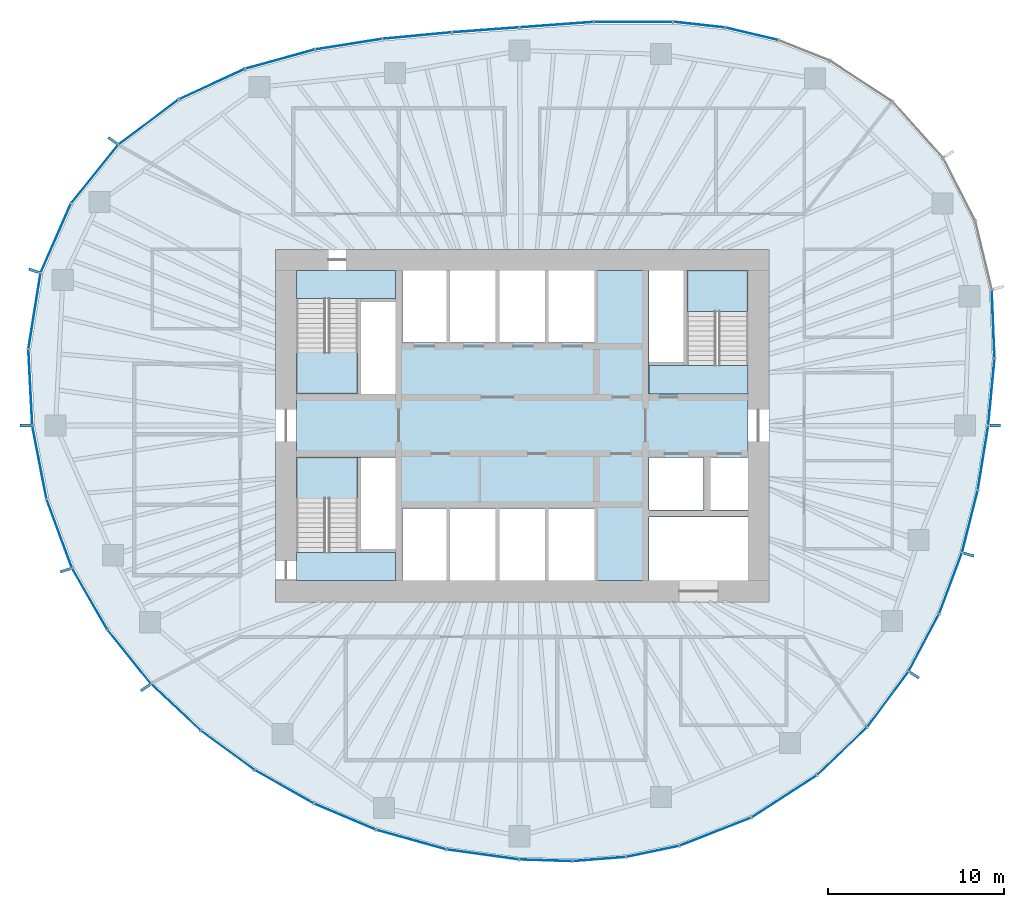
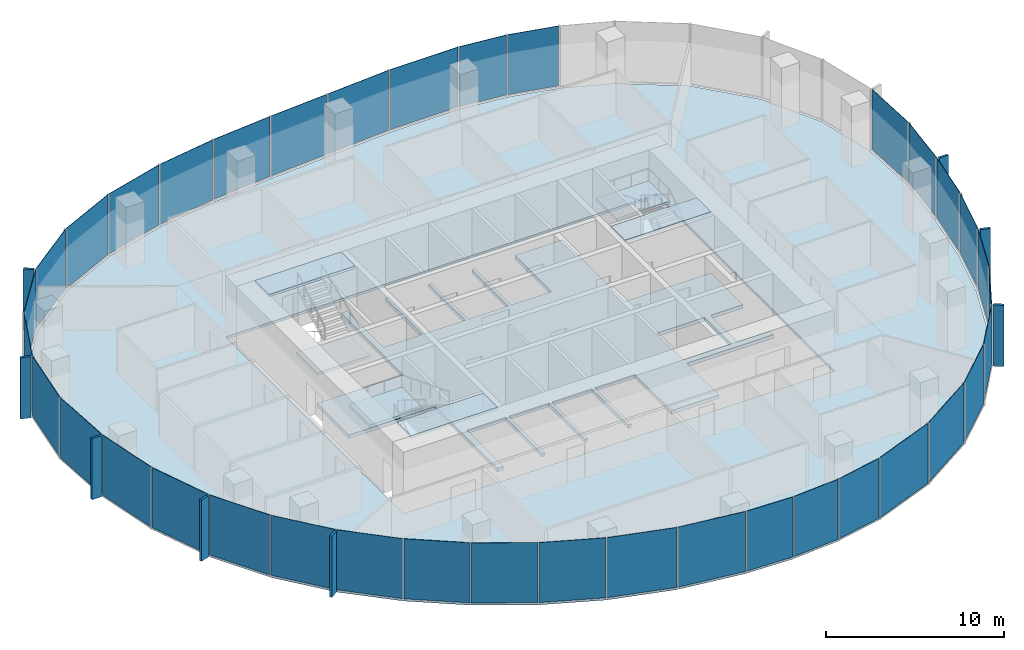
# One storey, part 7 of 11: 45 plates, 8 slabs, 21 elements without a shape of their own.
"""IFC4 building model written with IfcOpenShell, lengths in metres."""

from ifc_helpers import new_model, si_unit, direction, frame, origin, origin_2d, place, context, subcontext, project, spatial, polyline, rectangle, outline, extrude, material, layer, layer_set, type_object, element, aggregate, save


model = new_model("IFC4")

# Units and contexts
model_context = context("Model", 3, precision=1e-05, world=origin(), true_north=direction((0.0, 1.0)))
body_context = subcontext(model_context, "Body", "Model", "MODEL_VIEW")
ifc_project = project(units=[si_unit("LENGTHUNIT", "METRE"), si_unit("AREAUNIT", "SQUARE_METRE"), si_unit("VOLUMEUNIT", "CUBIC_METRE"), si_unit("PLANEANGLEUNIT", "RADIAN"), si_unit("MASSUNIT", "GRAM", prefix="KILO")], contexts=[model_context])

# Site, building, storey
site_placement = place(None, origin())
site = spatial("IfcSite", under=ifc_project, at=site_placement, CompositionType="ELEMENT")
building_placement = place(site_placement, origin())
building = spatial("IfcBuilding", under=site, at=building_placement, Name="Ghaith Harvest Tower", CompositionType="ELEMENT")
storey_placement = place(building_placement, frame((0.0, 0.0, 241.0)))
storey = spatial("IfcBuildingStorey", under=building, at=storey_placement, Name="L53", CompositionType="ELEMENT", Elevation=241.0)

# Curtain wall, plates
ifc_material_1 = material(Name="Black anodised aluminium and fritted glass", Category="aluminium")
curtain_wall_type = type_object("IfcCurtainWallType", Name="CW-H CURTAIN WALL", PredefinedType="NOTDEFINED", material=ifc_material_1)
curtain_wall_1_placement = place(storey_placement, origin())
curtain_wall_1 = element("IfcCurtainWall", 1, at=curtain_wall_1_placement, inside=storey, type_object=curtain_wall_type, Name="Curtain wall CW-H bay 01 L53", PredefinedType="NOTDEFINED")
ifc_material_2 = material(Name="Glass, dark solar-control fritted double glazed unit", Category="glass")
ifc_layer_1 = layer(ifc_material_2, 0.030029296875)
ifc_layer_set_1 = layer_set([ifc_layer_1], Name="CW-H VISION PANEL")
plate_type_1 = type_object("IfcPlateType", Name="CW-H VISION PANEL", PredefinedType="CURTAIN_PANEL", material=ifc_layer_set_1)
plate_1_placement = place(storey_placement, frame((26.624755859375, 1.89794921875, 0.079833984375), z_axis=(0.0, 0.0, 1.0), x_axis=(0.094301909937, 0.995543645343, 0.0)))
plate_1 = element("IfcPlate", 2, at=plate_1_placement, type_object=plate_type_1, Name="CW-H glass unit 1 bay 01 L53", PredefinedType="CURTAIN_PANEL", context=body_context, shape_type="SweptSolid", body=[
    extrude(rectangle(XDim=3.73291015625, YDim=0.030029296875, at=origin_2d()), origin(), (0.0, 0.0, 1.0), 4.1201171875),
])
plate_2_placement = place(storey_placement, frame((26.7255859375, 5.74853515625, 0.079833984375), z_axis=(0.0, 0.0, 1.0), x_axis=(-0.040462173218, 0.999181070947, 0.0)))
plate_2 = element("IfcPlate", 3, at=plate_2_placement, type_object=plate_type_1, Name="CW-H glass unit 2 bay 01 L53", PredefinedType="CURTAIN_PANEL", context=body_context, shape_type="SweptSolid", body=[
    extrude(rectangle(XDim=3.82861328125, YDim=0.030029296875, at=origin_2d()), origin(), (0.0, 0.0, 1.0), 4.1201171875),
])
aggregate(curtain_wall_1, [plate_1, plate_2])

curtain_wall_2_placement = place(storey_placement, origin())
curtain_wall_2 = element("IfcCurtainWall", 4, at=curtain_wall_2_placement, inside=storey, type_object=curtain_wall_type, Name="Curtain wall CW-H bay 04 L53", PredefinedType="NOTDEFINED")
plate_3_placement = place(storey_placement, frame((13.027099609375, 22.225341796875, 0.079833984375), z_axis=(0.0, 0.0, 1.0), x_axis=(-0.973266235028, 0.229679854916, 0.0)))
plate_3 = element("IfcPlate", 5, at=plate_3_placement, type_object=plate_type_1, Name="CW-H glass unit 2 bay 04 L53", PredefinedType="CURTAIN_PANEL", context=body_context, shape_type="SweptSolid", body=[
    extrude(rectangle(XDim=3.00244140625, YDim=0.030029296875, at=origin_2d()), origin(), (0.0, 0.0, 1.0), 4.1201171875),
])
plate_4_placement = place(storey_placement, frame((10.045654296875, 22.744384765625, 0.079833984375), z_axis=(0.0, 0.0, 1.0), x_axis=(-0.993865217442, 0.11059805405, 0.0)))
plate_4 = element("IfcPlate", 6, at=plate_4_placement, type_object=plate_type_1, Name="CW-H glass unit 3 bay 04 L53", PredefinedType="CURTAIN_PANEL", context=body_context, shape_type="SweptSolid", body=[
    extrude(rectangle(XDim=2.901123046875, YDim=0.030029296875, at=origin_2d()), origin(), (0.0, 0.0, 1.0), 4.1201171875),
])
aggregate(curtain_wall_2, [plate_3, plate_4])

curtain_wall_3_placement = place(storey_placement, origin())
curtain_wall_3 = element("IfcCurtainWall", 7, at=curtain_wall_3_placement, inside=storey, type_object=curtain_wall_type, Name="Curtain wall CW-H bay 05 L53", PredefinedType="NOTDEFINED")
plate_5_placement = place(storey_placement, frame((6.31201171875, 22.904296875, 0.079833984375), z_axis=(0.0, 0.0, 1.0), x_axis=(-0.999997643645, -0.002170876291, 0.0)))
plate_5 = element("IfcPlate", 8, at=plate_5_placement, type_object=plate_type_1, Name="CW-H glass unit 1 bay 05 L53", PredefinedType="CURTAIN_PANEL", context=body_context, shape_type="SweptSolid", body=[
    extrude(rectangle(XDim=4.4248046875, YDim=0.030029296875, at=origin_2d()), origin(), (0.0, 0.0, 1.0), 4.1201171875),
])
plate_6_placement = place(storey_placement, frame((1.952392578125, 22.744873046875, 0.079833984375), z_axis=(0.0, 0.0, 1.0), x_axis=(-0.997324570719, -0.073100619976, 0.0)))
plate_6 = element("IfcPlate", 9, at=plate_6_placement, type_object=plate_type_1, Name="CW-H glass unit 2 bay 05 L53", PredefinedType="CURTAIN_PANEL", context=body_context, shape_type="SweptSolid", body=[
    extrude(rectangle(XDim=4.1455078125, YDim=0.030029296875, at=origin_2d()), origin(), (0.0, 0.0, 1.0), 4.1201171875),
])
aggregate(curtain_wall_3, [plate_5, plate_6])

curtain_wall_4_placement = place(storey_placement, origin())
curtain_wall_4 = element("IfcCurtainWall", 10, at=curtain_wall_4_placement, inside=storey, type_object=curtain_wall_type, Name="Curtain wall CW-H bay 06 L53", PredefinedType="NOTDEFINED")
plate_7_placement = place(storey_placement, frame((-2.0693359375, 22.450439453125, 0.079833984375), z_axis=(0.0, 0.0, 1.0), x_axis=(-0.997334393671, -0.072966479985, 0.0)))
plate_7 = element("IfcPlate", 11, at=plate_7_placement, type_object=plate_type_1, Name="CW-H glass unit 1 bay 06 L53", PredefinedType="CURTAIN_PANEL", context=body_context, shape_type="SweptSolid", body=[
    extrude(rectangle(XDim=3.759765625, YDim=0.030029296875, at=origin_2d()), origin(), (0.0, 0.0, 1.0), 4.1201171875),
])
plate_8_placement = place(storey_placement, frame((-5.954345703125, 22.12548828125, 0.079833984375), z_axis=(0.0, 0.0, 1.0), x_axis=(-0.995631991968, -0.093364535934, 0.0)))
plate_8 = element("IfcPlate", 12, at=plate_8_placement, type_object=plate_type_1, Name="CW-H glass unit 2 bay 06 L53", PredefinedType="CURTAIN_PANEL", context=body_context, shape_type="SweptSolid", body=[
    extrude(rectangle(XDim=3.87744140625, YDim=0.030029296875, at=origin_2d()), origin(), (0.0, 0.0, 1.0), 4.1201171875),
])
aggregate(curtain_wall_4, [plate_7, plate_8])

curtain_wall_5_placement = place(storey_placement, origin())
curtain_wall_5 = element("IfcCurtainWall", 13, at=curtain_wall_5_placement, inside=storey, type_object=curtain_wall_type, Name="Curtain wall CW-H bay 07 L53", PredefinedType="NOTDEFINED")
plate_9_placement = place(storey_placement, frame((-9.83837890625, 21.638671875, 0.079833984375), z_axis=(0.0, 0.0, 1.0), x_axis=(-0.98777033338, -0.155915901993, 0.0)))
plate_9 = element("IfcPlate", 14, at=plate_9_placement, type_object=plate_type_1, Name="CW-H glass unit 1 bay 07 L53", PredefinedType="CURTAIN_PANEL", context=body_context, shape_type="SweptSolid", body=[
    extrude(rectangle(XDim=3.795166015625, YDim=0.030029296875, at=origin_2d()), origin(), (0.0, 0.0, 1.0), 4.1201171875),
])
plate_10_placement = place(storey_placement, frame((-13.736572265625, 20.78955078125, 0.079833984375), z_axis=(0.0, 0.0, 1.0), x_axis=(-0.964034113875, -0.26577853052, 0.0)))
plate_10 = element("IfcPlate", 15, at=plate_10_placement, type_object=plate_type_1, Name="CW-H glass unit 2 bay 07 L53", PredefinedType="CURTAIN_PANEL", context=body_context, shape_type="SweptSolid", body=[
    extrude(rectangle(XDim=4.03662109375, YDim=0.030029296875, at=origin_2d()), origin(), (0.0, 0.0, 1.0), 4.1201171875),
])
aggregate(curtain_wall_5, [plate_9, plate_10])

curtain_wall_6_placement = place(storey_placement, origin())
curtain_wall_6 = element("IfcCurtainWall", 16, at=curtain_wall_6_placement, inside=storey, type_object=curtain_wall_type, Name="Curtain wall CW-H bay 08 L53", PredefinedType="NOTDEFINED")
plate_11_placement = place(storey_placement, frame((-17.608154296875, 19.370849609375, 0.079833984375), z_axis=(0.0, 0.0, 1.0), x_axis=(-0.907814470414, -0.419372015408, 0.0)))
plate_11 = element("IfcPlate", 17, at=plate_11_placement, type_object=plate_type_1, Name="CW-H glass unit 1 bay 08 L53", PredefinedType="CURTAIN_PANEL", context=body_context, shape_type="SweptSolid", body=[
    extrude(rectangle(XDim=4.077392578125, YDim=0.030029296875, at=origin_2d()), origin(), (0.0, 0.0, 1.0), 4.1201171875),
])
plate_12_placement = place(storey_placement, frame((-21.20166015625, 17.219482421875, 0.079833984375), z_axis=(0.0, 0.0, 1.0), x_axis=(-0.800067053187, -0.599910585341, 0.0)))
plate_12 = element("IfcPlate", 18, at=plate_12_placement, type_object=plate_type_1, Name="CW-H glass unit 2 bay 08 L53", PredefinedType="CURTAIN_PANEL", context=body_context, shape_type="SweptSolid", body=[
    extrude(rectangle(XDim=4.18603515625, YDim=0.030029296875, at=origin_2d()), origin(), (0.0, 0.0, 1.0), 4.1201171875),
])
aggregate(curtain_wall_6, [plate_11, plate_12])

curtain_wall_7_placement = place(storey_placement, origin())
curtain_wall_7 = element("IfcCurtainWall", 19, at=curtain_wall_7_placement, inside=storey, type_object=curtain_wall_type, Name="Curtain wall CW-H bay 09 L53", PredefinedType="NOTDEFINED")
plate_13_placement = place(storey_placement, frame((-24.25390625, 14.270263671875, 0.079833984375), z_axis=(0.0, 0.0, 1.0), x_axis=(-0.627547637499, -0.778578167347, 0.0)))
plate_13 = element("IfcPlate", 20, at=plate_13_placement, type_object=plate_type_1, Name="CW-H glass unit 1 bay 09 L53", PredefinedType="CURTAIN_PANEL", context=body_context, shape_type="SweptSolid", body=[
    extrude(rectangle(XDim=4.208740234375, YDim=0.030029296875, at=origin_2d()), origin(), (0.0, 0.0, 1.0), 4.1201171875),
])
plate_14_placement = place(storey_placement, frame((-26.462646484375, 10.63037109375, 0.079833984375), z_axis=(0.0, 0.0, 1.0), x_axis=(-0.40121291108, -0.915984825192, 0.0)))
plate_14 = element("IfcPlate", 21, at=plate_14_placement, type_object=plate_type_1, Name="CW-H glass unit 2 bay 09 L53", PredefinedType="CURTAIN_PANEL", context=body_context, shape_type="SweptSolid", body=[
    extrude(rectangle(XDim=4.22216796875, YDim=0.030029296875, at=origin_2d()), origin(), (0.0, 0.0, 1.0), 4.1201171875),
])
aggregate(curtain_wall_7, [plate_13, plate_14])

curtain_wall_8_placement = place(storey_placement, origin())
curtain_wall_8 = element("IfcCurtainWall", 22, at=curtain_wall_8_placement, inside=storey, type_object=curtain_wall_type, Name="Curtain wall CW-H bay 10 L53", PredefinedType="NOTDEFINED")
plate_15_placement = place(storey_placement, frame((-27.670654296875, 6.49658203125, 0.079833984375), z_axis=(0.0, 0.0, 1.0), x_axis=(-0.157514341695, -0.987516699687, 0.0)))
plate_15 = element("IfcPlate", 23, at=plate_15_placement, type_object=plate_type_1, Name="CW-H glass unit 1 bay 10 L53", PredefinedType="CURTAIN_PANEL", context=body_context, shape_type="SweptSolid", body=[
    extrude(rectangle(XDim=4.301513671875, YDim=0.030029296875, at=origin_2d()), origin(), (0.0, 0.0, 1.0), 4.1201171875),
])
plate_16_placement = place(storey_placement, frame((-27.905517578125, 2.16650390625, 0.079833984375), z_axis=(0.0, 0.0, 1.0), x_axis=(0.050894857592, -0.998704016949, 0.0)))
plate_16 = element("IfcPlate", 24, at=plate_16_placement, type_object=plate_type_1, Name="CW-H glass unit 2 bay 10 L53", PredefinedType="CURTAIN_PANEL", context=body_context, shape_type="SweptSolid", body=[
    extrude(rectangle(XDim=4.2587890625, YDim=0.030029296875, at=origin_2d()), origin(), (0.0, 0.0, 1.0), 4.1201171875),
])
aggregate(curtain_wall_8, [plate_15, plate_16])

curtain_wall_9_placement = place(storey_placement, origin())
curtain_wall_9 = element("IfcCurtainWall", 25, at=curtain_wall_9_placement, inside=storey, type_object=curtain_wall_type, Name="Curtain wall CW-H bay 11 L53", PredefinedType="NOTDEFINED")
plate_17_placement = place(storey_placement, frame((-27.39013671875, -2.0869140625, 0.079833984375), z_axis=(0.0, 0.0, 1.0), x_axis=(0.190426809322, -0.981701395686, 0.0)))
plate_17 = element("IfcPlate", 26, at=plate_17_placement, type_object=plate_type_1, Name="CW-H glass unit 1 bay 11 L53", PredefinedType="CURTAIN_PANEL", context=body_context, shape_type="SweptSolid", body=[
    extrude(rectangle(XDim=4.171630859375, YDim=0.030029296875, at=origin_2d()), origin(), (0.0, 0.0, 1.0), 4.1201171875),
])
plate_18_placement = place(storey_placement, frame((-26.261962890625, -6.1337890625, 0.079833984375), z_axis=(0.0, 0.0, 1.0), x_axis=(0.346303431688, -0.938122557666, 0.0)))
plate_18 = element("IfcPlate", 27, at=plate_18_placement, type_object=plate_type_1, Name="CW-H glass unit 2 bay 11 L53", PredefinedType="CURTAIN_PANEL", context=body_context, shape_type="SweptSolid", body=[
    extrude(rectangle(XDim=4.098388671875, YDim=0.030029296875, at=origin_2d()), origin(), (0.0, 0.0, 1.0), 4.1201171875),
])
aggregate(curtain_wall_9, [plate_17, plate_18])

curtain_wall_10_placement = place(storey_placement, origin())
curtain_wall_10 = element("IfcCurtainWall", 28, at=curtain_wall_10_placement, inside=storey, type_object=curtain_wall_type, Name="Curtain wall CW-H bay 12 L53", PredefinedType="NOTDEFINED")
plate_19_placement = place(storey_placement, frame((-24.535888671875, -9.838623046875, 0.079833984375), z_axis=(0.0, 0.0, 1.0), x_axis=(0.49818018945, -0.867073525625, 0.0)))
plate_19 = element("IfcPlate", 29, at=plate_19_placement, type_object=plate_type_1, Name="CW-H glass unit 1 bay 12 L53", PredefinedType="CURTAIN_PANEL", context=body_context, shape_type="SweptSolid", body=[
    extrude(rectangle(XDim=3.945068359375, YDim=0.030029296875, at=origin_2d()), origin(), (0.0, 0.0, 1.0), 4.1201171875),
])
plate_20_placement = place(storey_placement, frame((-22.29736328125, -13.119140625, 0.079833984375), z_axis=(0.0, 0.0, 1.0), x_axis=(0.626957061695, -0.779053812513, 0.0)))
plate_20 = element("IfcPlate", 30, at=plate_20_placement, type_object=plate_type_1, Name="CW-H glass unit 2 bay 12 L53", PredefinedType="CURTAIN_PANEL", context=body_context, shape_type="SweptSolid", body=[
    extrude(rectangle(XDim=3.8623046875, YDim=0.030029296875, at=origin_2d()), origin(), (0.0, 0.0, 1.0), 4.1201171875),
])
aggregate(curtain_wall_10, [plate_19, plate_20])

curtain_wall_11_placement = place(storey_placement, origin())
curtain_wall_11 = element("IfcCurtainWall", 31, at=curtain_wall_11_placement, inside=storey, type_object=curtain_wall_type, Name="Curtain wall CW-H bay 13 L53", PredefinedType="NOTDEFINED")
plate_21_placement = place(storey_placement, frame((-19.649658203125, -15.98046875, 0.079833984375), z_axis=(0.0, 0.0, 1.0), x_axis=(0.729016864325, -0.684495735217, 0.0)))
plate_21 = element("IfcPlate", 32, at=plate_21_placement, type_object=plate_type_1, Name="CW-H glass unit 1 bay 13 L53", PredefinedType="CURTAIN_PANEL", context=body_context, shape_type="SweptSolid", body=[
    extrude(rectangle(XDim=3.793212890625, YDim=0.030029296875, at=origin_2d()), origin(), (0.0, 0.0, 1.0), 4.1201171875),
])
plate_22_placement = place(storey_placement, frame((-16.707763671875, -18.42431640625, 0.079833984375), z_axis=(0.0, 0.0, 1.0), x_axis=(0.80736351134, -0.590054370848, 0.0)))
plate_22 = element("IfcPlate", 33, at=plate_22_placement, type_object=plate_type_1, Name="CW-H glass unit 2 bay 13 L53", PredefinedType="CURTAIN_PANEL", context=body_context, shape_type="SweptSolid", body=[
    extrude(rectangle(XDim=3.710693359375, YDim=0.030029296875, at=origin_2d()), origin(), (0.0, 0.0, 1.0), 4.1201171875),
])
aggregate(curtain_wall_11, [plate_21, plate_22])

curtain_wall_12_placement = place(storey_placement, origin())
curtain_wall_12 = element("IfcCurtainWall", 34, at=curtain_wall_12_placement, inside=storey, type_object=curtain_wall_type, Name="Curtain wall CW-H bay 14 L53", PredefinedType="NOTDEFINED")
plate_23_placement = place(storey_placement, frame((-13.496337890625, -20.496826171875, 0.079833984375), z_axis=(0.0, 0.0, 1.0), x_axis=(0.869715300233, -0.493553742303, 0.0)))
plate_23 = element("IfcPlate", 35, at=plate_23_placement, type_object=plate_type_1, Name="CW-H glass unit 1 bay 14 L53", PredefinedType="CURTAIN_PANEL", context=body_context, shape_type="SweptSolid", body=[
    extrude(rectangle(XDim=3.785888671875, YDim=0.030029296875, at=origin_2d()), origin(), (0.0, 0.0, 1.0), 4.1201171875),
])
plate_24_placement = place(storey_placement, frame((-10.050537109375, -22.1962890625, 0.079833984375), z_axis=(0.0, 0.0, 1.0), x_axis=(0.921181516072, -0.389133157734, 0.0)))
plate_24 = element("IfcPlate", 36, at=plate_24_placement, type_object=plate_type_1, Name="CW-H glass unit 2 bay 14 L53", PredefinedType="CURTAIN_PANEL", context=body_context, shape_type="SweptSolid", body=[
    extrude(rectangle(XDim=3.751220703125, YDim=0.030029296875, at=origin_2d()), origin(), (0.0, 0.0, 1.0), 4.1201171875),
])
aggregate(curtain_wall_12, [plate_23, plate_24])

curtain_wall_13_placement = place(storey_placement, origin())
curtain_wall_13 = element("IfcCurtainWall", 37, at=curtain_wall_13_placement, inside=storey, type_object=curtain_wall_type, Name="Curtain wall CW-H bay 15 L53", PredefinedType="NOTDEFINED")
plate_25_placement = place(storey_placement, frame((-6.291015625, -23.49853515625, 0.079833984375), z_axis=(0.0, 0.0, 1.0), x_axis=(0.963162861349, -0.268918765647, 0.0)))
plate_25 = element("IfcPlate", 38, at=plate_25_placement, type_object=plate_type_1, Name="CW-H glass unit 1 bay 15 L53", PredefinedType="CURTAIN_PANEL", context=body_context, shape_type="SweptSolid", body=[
    extrude(rectangle(XDim=4.062744140625, YDim=0.030029296875, at=origin_2d()), origin(), (0.0, 0.0, 1.0), 4.1201171875),
])
plate_26_placement = place(storey_placement, frame((-2.232177734375, -24.34033203125, 0.079833984375), z_axis=(0.0, 0.0, 1.0), x_axis=(0.990612268407, -0.136701622823, 0.0)))
plate_26 = element("IfcPlate", 39, at=plate_26_placement, type_object=plate_type_1, Name="CW-H glass unit 2 bay 15 L53", PredefinedType="CURTAIN_PANEL", context=body_context, shape_type="SweptSolid", body=[
    extrude(rectangle(XDim=4.08642578125, YDim=0.030029296875, at=origin_2d()), origin(), (0.0, 0.0, 1.0), 4.1201171875),
])
aggregate(curtain_wall_13, [plate_25, plate_26])

curtain_wall_14_placement = place(storey_placement, origin())
curtain_wall_14 = element("IfcCurtainWall", 40, at=curtain_wall_14_placement, inside=storey, type_object=curtain_wall_type, Name="Curtain wall CW-H bay 16 L53", PredefinedType="NOTDEFINED")
plate_27_placement = place(storey_placement, frame((1.339599609375, -24.67333984375, 0.079833984375), z_axis=(0.0, 0.0, 1.0), x_axis=(0.99949125523, -0.031894054587, 0.0)))
plate_27 = element("IfcPlate", 41, at=plate_27_placement, type_object=plate_type_1, Name="CW-H glass unit 1 bay 16 L53", PredefinedType="CURTAIN_PANEL", context=body_context, shape_type="SweptSolid", body=[
    extrude(rectangle(XDim=2.937744140625, YDim=0.030029296875, at=origin_2d()), origin(), (0.0, 0.0, 1.0), 4.1201171875),
])
plate_28_placement = place(storey_placement, frame((4.37060546875, -24.60205078125, 0.079833984375), z_axis=(0.0, 0.0, 1.0), x_axis=(0.996945418782, 0.078101421048, 0.0)))
plate_28 = element("IfcPlate", 42, at=plate_28_placement, type_object=plate_type_1, Name="CW-H glass unit 2 bay 16 L53", PredefinedType="CURTAIN_PANEL", context=body_context, shape_type="SweptSolid", body=[
    extrude(rectangle(XDim=2.974853515625, YDim=0.030029296875, at=origin_2d()), origin(), (0.0, 0.0, 1.0), 4.1201171875),
])
plate_29_placement = place(storey_placement, frame((7.40478515625, -24.16650390625, 0.079833984375), z_axis=(0.0, 0.0, 1.0), x_axis=(0.978788872874, 0.204871526422, 0.0)))
plate_29 = element("IfcPlate", 43, at=plate_29_placement, type_object=plate_type_1, Name="CW-H glass unit 3 bay 16 L53", PredefinedType="CURTAIN_PANEL", context=body_context, shape_type="SweptSolid", body=[
    extrude(rectangle(XDim=3.00830078125, YDim=0.030029296875, at=origin_2d()), origin(), (0.0, 0.0, 1.0), 4.1201171875),
])
aggregate(curtain_wall_14, [plate_27, plate_28, plate_29])

curtain_wall_15_placement = place(storey_placement, origin())
curtain_wall_15 = element("IfcCurtainWall", 44, at=curtain_wall_15_placement, inside=storey, type_object=curtain_wall_type, Name="Curtain wall CW-H bay 17 L53", PredefinedType="NOTDEFINED")
plate_30_placement = place(storey_placement, frame((10.963134765625, -23.048583984375, 0.079833984375), z_axis=(0.0, 0.0, 1.0), x_axis=(0.931161161765, 0.364607858966, 0.0)))
plate_30 = element("IfcPlate", 45, at=plate_30_placement, type_object=plate_type_1, Name="CW-H glass unit 1 bay 17 L53", PredefinedType="CURTAIN_PANEL", context=body_context, shape_type="SweptSolid", body=[
    extrude(rectangle(XDim=4.316650390625, YDim=0.030029296875, at=origin_2d()), origin(), (0.0, 0.0, 1.0), 4.1201171875),
])
plate_31_placement = place(storey_placement, frame((14.869384765625, -21.042724609375, 0.079833984375), z_axis=(0.0, 0.0, 1.0), x_axis=(0.839305300126, 0.543660384045, 0.0)))
plate_31 = element("IfcPlate", 46, at=plate_31_placement, type_object=plate_type_1, Name="CW-H glass unit 2 bay 17 L53", PredefinedType="CURTAIN_PANEL", context=body_context, shape_type="SweptSolid", body=[
    extrude(rectangle(XDim=4.35107421875, YDim=0.030029296875, at=origin_2d()), origin(), (0.0, 0.0, 1.0), 4.1201171875),
])
aggregate(curtain_wall_15, [plate_30, plate_31])

curtain_wall_16_placement = place(storey_placement, origin())
curtain_wall_16 = element("IfcCurtainWall", 47, at=curtain_wall_16_placement, inside=storey, type_object=curtain_wall_type, Name="Curtain wall CW-H bay 18 L53", PredefinedType="NOTDEFINED")
plate_32_placement = place(storey_placement, frame((18.151611328125, -18.47705078125, 0.079833984375), z_axis=(0.0, 0.0, 1.0), x_axis=(0.722532585058, 0.691336866896, 0.0)))
plate_32 = element("IfcPlate", 48, at=plate_32_placement, type_object=plate_type_1, Name="CW-H glass unit 1 bay 18 L53", PredefinedType="CURTAIN_PANEL", context=body_context, shape_type="SweptSolid", body=[
    extrude(rectangle(XDim=3.85791015625, YDim=0.030029296875, at=origin_2d()), origin(), (0.0, 0.0, 1.0), 4.1201171875),
])
plate_33_placement = place(storey_placement, frame((20.74853515625, -15.53369140625, 0.079833984375), z_axis=(0.0, 0.0, 1.0), x_axis=(0.596018639888, 0.802970597784, 0.0)))
plate_33 = element("IfcPlate", 49, at=plate_33_placement, type_object=plate_type_1, Name="CW-H glass unit 2 bay 18 L53", PredefinedType="CURTAIN_PANEL", context=body_context, shape_type="SweptSolid", body=[
    extrude(rectangle(XDim=3.8603515625, YDim=0.030029296875, at=origin_2d()), origin(), (0.0, 0.0, 1.0), 4.1201171875),
])
aggregate(curtain_wall_16, [plate_32, plate_33])

curtain_wall_17_placement = place(storey_placement, origin())
curtain_wall_17 = element("IfcCurtainWall", 50, at=curtain_wall_17_placement, inside=storey, type_object=curtain_wall_type, Name="Curtain wall CW-H bay 19 L53", PredefinedType="NOTDEFINED")
plate_34_placement = place(storey_placement, frame((22.79052734375, -12.316162109375, 0.079833984375), z_axis=(0.0, 0.0, 1.0), x_axis=(0.46864379564, 0.883387226989, 0.0)))
plate_34 = element("IfcPlate", 51, at=plate_34_placement, type_object=plate_type_1, Name="CW-H glass unit 1 bay 19 L53", PredefinedType="CURTAIN_PANEL", context=body_context, shape_type="SweptSolid", body=[
    extrude(rectangle(XDim=3.623291015625, YDim=0.030029296875, at=origin_2d()), origin(), (0.0, 0.0, 1.0), 4.1201171875),
])
plate_35_placement = place(storey_placement, frame((24.30712890625, -8.946533203125, 0.079833984375), z_axis=(0.0, 0.0, 1.0), x_axis=(0.350480749824, 0.936569935457, 0.0)))
plate_35 = element("IfcPlate", 52, at=plate_35_placement, type_object=plate_type_1, Name="CW-H glass unit 2 bay 19 L53", PredefinedType="CURTAIN_PANEL", context=body_context, shape_type="SweptSolid", body=[
    extrude(rectangle(XDim=3.62255859375, YDim=0.030029296875, at=origin_2d()), origin(), (0.0, 0.0, 1.0), 4.1201171875),
])
aggregate(curtain_wall_17, [plate_34, plate_35])

curtain_wall_18_placement = place(storey_placement, origin())
curtain_wall_18 = element("IfcCurtainWall", 53, at=curtain_wall_18_placement, inside=storey, type_object=curtain_wall_type, Name="Curtain wall CW-H bay 20 L53", PredefinedType="NOTDEFINED")
plate_36_placement = place(storey_placement, frame((25.404541015625, -5.43701171875, 0.079833984375), z_axis=(0.0, 0.0, 1.0), x_axis=(0.244925945134, 0.969541789404, 0.0)))
plate_36 = element("IfcPlate", 54, at=plate_36_placement, type_object=plate_type_1, Name="CW-H glass unit 1 bay 20 L53", PredefinedType="CURTAIN_PANEL", context=body_context, shape_type="SweptSolid", body=[
    extrude(rectangle(XDim=3.583251953125, YDim=0.030029296875, at=origin_2d()), origin(), (0.0, 0.0, 1.0), 4.1201171875),
])
plate_37_placement = place(storey_placement, frame((26.14892578125, -1.83056640625, 0.079833984375), z_axis=(0.0, 0.0, 1.0), x_axis=(0.159600748097, 0.987181645497, 0.0)))
plate_37 = element("IfcPlate", 55, at=plate_37_placement, type_object=plate_type_1, Name="CW-H glass unit 2 bay 20 L53", PredefinedType="CURTAIN_PANEL", context=body_context, shape_type="SweptSolid", body=[
    extrude(rectangle(XDim=3.628662109375, YDim=0.030029296875, at=origin_2d()), origin(), (0.0, 0.0, 1.0), 4.1201171875),
])
aggregate(curtain_wall_18, [plate_36, plate_37])

# Slabs
ifc_material_3 = material(Name="Concrete C40/50", Category="concrete")
ifc_layer_2 = layer(ifc_material_3, 0.169921875)
ifc_layer_set_2 = layer_set([ifc_layer_2], Name="FLOOR SLAB 170")
slab_type_1 = type_object("IfcSlabType", Name="FLOOR SLAB 170", PredefinedType="FLOOR", material=ifc_layer_set_2)
slab_1_placement = place(storey_placement, frame((0.0, 0.0, -0.169921875)))
element("IfcSlab", 56, at=slab_1_placement, inside=storey, type_object=slab_type_1, Name="Floor slab L53", PredefinedType="FLOOR", context=body_context, shape_type="SweptSolid", body=[
    extrude(outline(polyline([(26.324951171875, 0.0), (26.685791015625, 3.779052734375), (26.531005859375, 7.668212890625), (25.597900390625, 11.55615234375), (23.77294921875, 15.12939453125), (20.923095703125, 18.295166015625), (17.382080078125, 20.612548828125), (14.460693359375, 21.771484375), (11.47265625, 22.47265625), (8.522216796875, 22.796875), (4.03857421875, 22.78125), (-0.15380859375, 22.470458984375), (-3.963134765625, 22.192138671875), (-7.8837890625, 21.827880859375), (-11.694580078125, 21.2314453125), (-15.6474609375, 20.147705078125), (-19.408203125, 18.41650390625), (-22.809814453125, 15.87109375), (-25.491943359375, 12.547607421875), (-27.211181640625, 8.623779296875), (-27.897216796875, 4.314697265625), (-27.675048828125, 0.0), (-26.86669921875, -4.155517578125), (-25.424072265625, -8.057373046875), (-23.425537109375, -11.530517578125), (-20.963134765625, -14.586181640625), (-18.15087890625, -17.223388671875), (-15.10400390625, -19.447998046875), (-11.75732421875, -21.345703125), (-8.2451171875, -22.82861328125), (-4.27490234375, -23.9375), (-0.167724609375, -24.505126953125), (2.833984375, -24.602294921875), (5.865234375, -24.3662109375), (8.8740234375, -23.73779296875), (12.949462890625, -22.1435546875), (16.651611328125, -19.746337890625), (19.48388671875, -17.036865234375), (21.821533203125, -13.887451171875), (23.548828125, -10.631103515625), (24.840576171875, -7.179443359375), (25.734375, -3.644287109375), (26.324951171875, 0.0)]), holes=[polyline([(-14.0, -10.0), (14.0, -10.0), (14.0, 10.0), (-14.0, 10.0), (-14.0, -10.0)])]), origin(), (0.0, 0.0, 1.0), 0.169921875),
])
ifc_material_4 = material(Name="Concrete C40/50", Category="concrete")
ifc_layer_3 = layer(ifc_material_4, 0.25)
ifc_layer_set_3 = layer_set([ifc_layer_3], Name="FLOOR SLAB 250")
slab_type_2 = type_object("IfcSlabType", Name="FLOOR SLAB 250", PredefinedType="FLOOR", material=ifc_layer_set_3)
slab_2_placement = place(storey_placement, frame((0.0, 0.0, -0.25)))
element("IfcSlab", 57, at=slab_2_placement, inside=storey, type_object=slab_type_2, Name="Core slab L53", PredefinedType="FLOOR", context=body_context, shape_type="SweptSolid", body=[
    extrude(outline(polyline([(-12.800048828125, 1.800048828125), (-7.199951171875, 1.800048828125), (-7.199951171875, 8.800048828125), (-6.800048828125, 8.800048828125), (-6.800048828125, 4.699951171875), (-4.300048828125, 4.699951171875), (-4.300048828125, 8.800048828125), (-4.10009765625, 8.800048828125), (-4.10009765625, 4.699951171875), (-1.5, 4.699951171875), (-1.5, 8.800048828125), (-1.300048828125, 8.800048828125), (-1.300048828125, 4.699951171875), (1.300048828125, 4.699951171875), (1.300048828125, 8.800048828125), (1.5, 8.800048828125), (1.5, 4.699951171875), (4.10009765625, 4.699951171875), (4.10009765625, 8.800048828125), (7.199951171875, 8.800048828125), (7.199951171875, 1.800048828125), (12.800048828125, 1.800048828125), (12.800048828125, -1.800048828125), (10.699951171875, -1.800048828125), (10.699951171875, -4.800048828125), (12.800048828125, -4.800048828125), (12.800048828125, -5.199951171875), (7.199951171875, -5.199951171875), (7.199951171875, -8.800048828125), (4.10009765625, -8.800048828125), (4.10009765625, -4.699951171875), (1.5, -4.699951171875), (1.5, -8.800048828125), (1.300048828125, -8.800048828125), (1.300048828125, -4.699951171875), (-1.300048828125, -4.699951171875), (-1.300048828125, -8.800048828125), (-1.5, -8.800048828125), (-1.5, -4.699951171875), (-4.10009765625, -4.699951171875), (-4.10009765625, -8.800048828125), (-4.300048828125, -8.800048828125), (-4.300048828125, -4.699951171875), (-6.800048828125, -4.699951171875), (-6.800048828125, -8.800048828125), (-7.199951171875, -8.800048828125), (-7.199951171875, -1.800048828125), (-12.800048828125, -1.800048828125), (-12.800048828125, 1.800048828125)]), holes=[polyline([(10.300048828125, -4.800048828125), (10.300048828125, -1.800048828125), (7.199951171875, -1.800048828125), (7.199951171875, -4.800048828125), (10.300048828125, -4.800048828125)])]), origin(), (0.0, 0.0, 1.0), 0.25),
])

# Stair, slabs
ifc_material_5 = material(Name="Concrete C40/50, precast", Category="concrete")
stair_type = type_object("IfcStairType", Name="CORE STAIR 24R", PredefinedType="HALF_TURN_STAIR", material=ifc_material_5)
stair_1_placement = place(storey_placement, origin())
stair_1 = element("IfcStair", 58, at=stair_1_placement, inside=storey, type_object=stair_type, Name="Stair ST1 L53", PredefinedType="HALF_TURN_STAIR")
ifc_material_6 = material(Name="Concrete C40/50, precast", Category="concrete")
ifc_layer_4 = layer(ifc_material_6, 0.179931640625)
ifc_layer_set_4 = layer_set([ifc_layer_4], Name="STAIR LANDING 180")
slab_type_3 = type_object("IfcSlabType", Name="STAIR LANDING 180", PredefinedType="LANDING", material=ifc_layer_set_4)
slab_3_placement = place(storey_placement, frame((0.0, 0.0, 1.919921875)))
slab_3 = element("IfcSlab", 59, at=slab_3_placement, type_object=slab_type_3, Name="ST1 landing 1", PredefinedType="LANDING", context=body_context, shape_type="SweptSolid", body=[
    extrude(outline(polyline([(-12.800048828125, 4.139892578125), (-12.800048828125, 1.77490234375), (-9.35009765625, 1.77490234375), (-9.35009765625, 4.139892578125), (-12.800048828125, 4.139892578125)])), origin(), (0.0, 0.0, 1.0), 0.18017578125),
])
slab_4_placement = place(storey_placement, frame((0.0, 0.0, 4.02001953125)))
slab_4 = element("IfcSlab", 60, at=slab_4_placement, type_object=slab_type_3, Name="ST1 landing 2", PredefinedType="LANDING", context=body_context, shape_type="SweptSolid", body=[
    extrude(outline(polyline([(-12.800048828125, 8.800048828125), (-12.800048828125, 7.199951171875), (-7.199951171875, 7.199951171875), (-7.199951171875, 8.800048828125), (-12.800048828125, 8.800048828125)])), origin(), (0.0, 0.0, 1.0), 0.179931640625),
])
aggregate(stair_1, [slab_3, slab_4])

stair_2_placement = place(storey_placement, origin())
stair_2 = element("IfcStair", 61, at=stair_2_placement, inside=storey, type_object=stair_type, Name="Stair ST3 L53", PredefinedType="HALF_TURN_STAIR")
slab_5_placement = place(storey_placement, frame((0.0, 0.0, 1.919921875)))
slab_5 = element("IfcSlab", 62, at=slab_5_placement, type_object=slab_type_3, Name="ST3 landing 1", PredefinedType="LANDING", context=body_context, shape_type="SweptSolid", body=[
    extrude(outline(polyline([(-12.800048828125, -4.139892578125), (-12.800048828125, -1.77490234375), (-9.35009765625, -1.77490234375), (-9.35009765625, -4.139892578125), (-12.800048828125, -4.139892578125)])), origin(), (0.0, 0.0, 1.0), 0.18017578125),
])
slab_6_placement = place(storey_placement, frame((0.0, 0.0, 4.02001953125)))
slab_6 = element("IfcSlab", 63, at=slab_6_placement, type_object=slab_type_3, Name="ST3 landing 2", PredefinedType="LANDING", context=body_context, shape_type="SweptSolid", body=[
    extrude(outline(polyline([(-12.800048828125, -8.800048828125), (-12.800048828125, -7.199951171875), (-7.199951171875, -7.199951171875), (-7.199951171875, -8.800048828125), (-12.800048828125, -8.800048828125)])), origin(), (0.0, 0.0, 1.0), 0.179931640625),
])
aggregate(stair_2, [slab_5, slab_6])

stair_3_placement = place(storey_placement, origin())
stair_3 = element("IfcStair", 64, at=stair_3_placement, inside=storey, type_object=stair_type, Name="Stair ST2 L53", PredefinedType="HALF_TURN_STAIR")
slab_7_placement = place(storey_placement, frame((0.0, 0.0, 1.919921875)))
slab_7 = element("IfcSlab", 65, at=slab_7_placement, type_object=slab_type_3, Name="ST2 landing 1", PredefinedType="LANDING", context=body_context, shape_type="SweptSolid", body=[
    extrude(outline(polyline([(12.800048828125, 6.4599609375), (12.800048828125, 8.800048828125), (9.35009765625, 8.800048828125), (9.35009765625, 6.4599609375), (12.800048828125, 6.4599609375)])), origin(), (0.0, 0.0, 1.0), 0.18017578125),
])
slab_8_placement = place(storey_placement, frame((0.0, 0.0, 4.02001953125)))
slab_8 = element("IfcSlab", 66, at=slab_8_placement, type_object=slab_type_3, Name="ST2 landing 2", PredefinedType="LANDING", context=body_context, shape_type="SweptSolid", body=[
    extrude(outline(polyline([(12.800048828125, 1.800048828125), (12.800048828125, 3.39990234375), (7.199951171875, 3.39990234375), (7.199951171875, 1.800048828125), (12.800048828125, 1.800048828125)])), origin(), (0.0, 0.0, 1.0), 0.179931640625),
])
aggregate(stair_3, [slab_7, slab_8])

# Plates
ifc_material_7 = material(Name="Glassfibre-reinforced concrete", Category="concrete")
ifc_layer_5 = layer(ifc_material_7, 0.14990234375)
ifc_layer_set_5 = layer_set([ifc_layer_5], Name="SUN-BREAKER FIN 600x150")
plate_type_2 = type_object("IfcPlateType", Name="SUN-BREAKER FIN 600x150", PredefinedType="USERDEFINED", material=ifc_layer_set_5)
for number, where, z_axis, x_axis, name in (
    (67, (26.844970703125, 0.0, 0.0), (0.0, 0.0, 1.0), (1.0, 0.0, 0.0), "Sun-breaker fin CW-H 1 bay 01 L53"),
    (68, (-23.236572265625, 16.168212890625, 0.0), (0.0, 0.0, 1.0), (-0.820845486523, 0.571150319316, 0.0), "Sun-breaker fin CW-H 1 bay 09 L53"),
    (69, (-27.70703125, 8.78076171875, 0.0), (0.0, 0.0, 1.0), (-0.953273219358, 0.302109531884, 0.0), "Sun-breaker fin CW-H 1 bay 10 L53"),
    (70, (-28.195068359375, 0.0, 0.0), (0.0, 0.0, 1.0), (-1.0, -4.19e-10, 0.0), "Sun-breaker fin CW-H 1 bay 11 L53"),
    (71, (-25.919677734375, -8.21435546875, 0.0), (0.0, 0.0, 1.0), (-0.953273219416, -0.302109531701, 0.0), "Sun-breaker fin CW-H 1 bay 12 L53"),
    (72, (-21.389892578125, -14.88330078125, 0.0), (0.0, 0.0, 1.0), (-0.820845486622, -0.571150319173, 0.0), "Sun-breaker fin CW-H 1 bay 13 L53"),
    (73, (22.26025390625, -14.16650390625, 0.0), (0.0, 0.0, 1.0), (0.84364397137, -0.536903016913, 0.0), "Sun-breaker fin CW-H 1 bay 19 L53"),
    (74, (25.340087890625, -7.32373046875, 0.0), (0.0, 0.0, 1.0), (0.960680349932, -0.277656739976, 0.0), "Sun-breaker fin CW-H 1 bay 20 L53"),
):
    element("IfcPlate", number, at=place(storey_placement, frame(where, z_axis=z_axis, x_axis=x_axis)), inside=storey, type_object=plate_type_2, Name=name, ObjectType="SUN-BREAKER FIN", PredefinedType="USERDEFINED", context=body_context, shape_type="SweptSolid", body=[
        extrude(rectangle(XDim=0.60009765625, YDim=0.14990234375, at=origin_2d()), origin(), (0.0, 0.0, 1.0), 4.199951171875),
    ])

save(model, "model.ifc")
